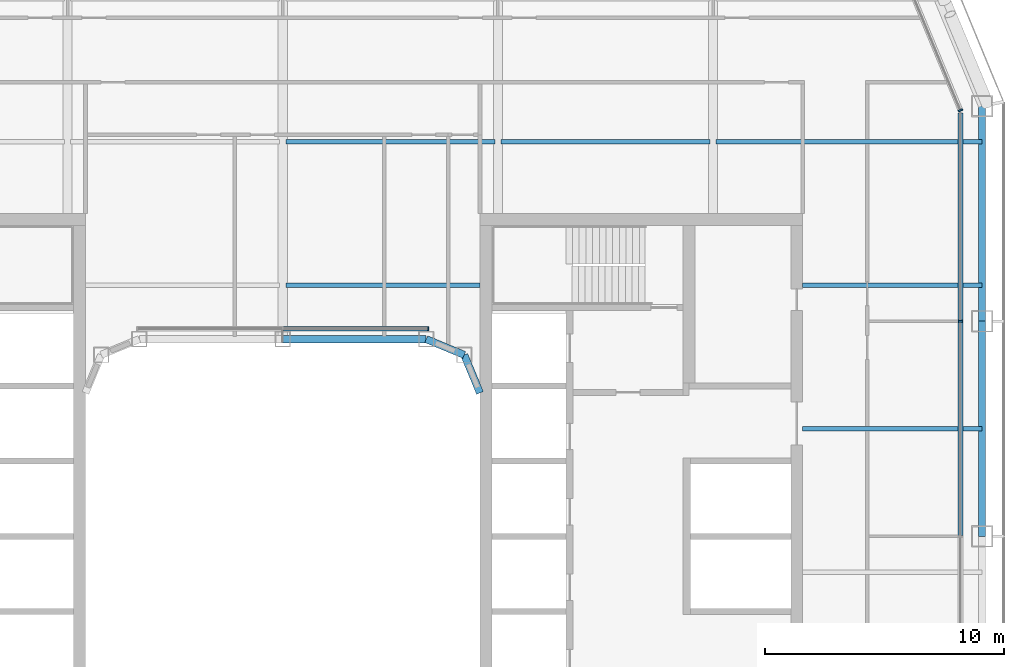
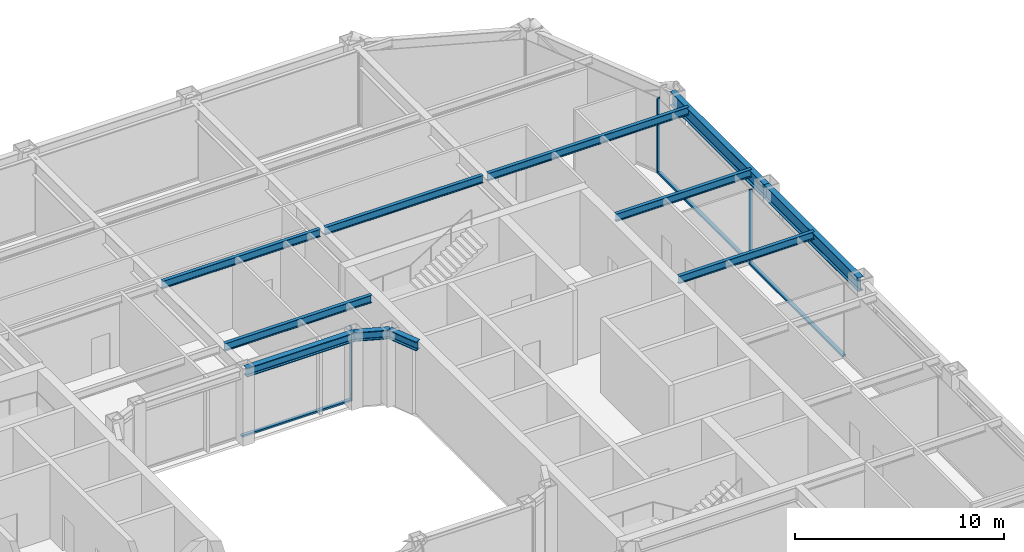
# One storey, part 8 of 23: 11 beams, 6 members, 3 elements without a shape of their own.
"""IFC4 building model written with IfcOpenShell, lengths in metres."""

from ifc_helpers import new_model, si_unit, direction, frame, origin, origin_2d, place, context, subcontext, project, spatial, rectangle, i_section, extrude, material, layer, layer_set, material_profile, profile_set, type_object, element, aggregate, save


model = new_model("IFC4")

# Units and contexts
model_context = context("Model", 3, precision=1e-05, world=origin(), true_north=direction((0.0, 1.0)))
body_context = subcontext(model_context, "Body", "Model", "MODEL_VIEW")
ifc_project = project(units=[si_unit("LENGTHUNIT", "METRE"), si_unit("AREAUNIT", "SQUARE_METRE"), si_unit("VOLUMEUNIT", "CUBIC_METRE"), si_unit("PLANEANGLEUNIT", "RADIAN"), si_unit("MASSUNIT", "GRAM", prefix="KILO")], contexts=[model_context])

# Site, building, storey
site_placement = place(None, origin())
site = spatial("IfcSite", under=ifc_project, at=site_placement, CompositionType="ELEMENT")
building_placement = place(site_placement, origin())
building = spatial("IfcBuilding", under=site, at=building_placement, Name="Siwar Civic Tower", CompositionType="ELEMENT")
storey_placement = place(building_placement, frame((0.0, 0.0, 172.199951171875)))
storey = spatial("IfcBuildingStorey", under=building, at=storey_placement, Name="L37", CompositionType="ELEMENT", Elevation=172.199951171875)

# Curtain wall, member
ifc_material_1 = material(Name="Aluminium and glass", Category="aluminium")
ifc_layer_1 = layer(ifc_material_1, 0.199951171875)
ifc_layer_set_1 = layer_set([ifc_layer_1], Name="Aluminium and glass")
curtain_wall_type_1 = type_object("IfcCurtainWallType", Name="ENV-CW-B", PredefinedType="NOTDEFINED", material=ifc_layer_set_1)
curtain_wall_1_placement = place(storey_placement, origin())
curtain_wall_1 = element("IfcCurtainWall", 1, at=curtain_wall_1_placement, inside=storey, type_object=curtain_wall_type_1, Name="Curtain wall B E", PredefinedType="NOTDEFINED")
ifc_material_2 = material(Name="Aluminium 6063-T6", Category="aluminium")
ifc_material_profile_1 = material_profile(ifc_material_2, rectangle(XDim=0.199951171875, YDim=0.06494140625, at=origin_2d()), Name="AL 200x65")
ifc_profile_set_1 = profile_set([ifc_material_profile_1], Name="Aluminium 6063-T6")
member_type_1 = type_object("IfcMemberType", Name="ENV-MULLION-B", PredefinedType="MULLION", material=ifc_profile_set_1)
member_1_placement = place(storey_placement, frame((28.35009765625, 9.0, 0.0), z_axis=(0.0, 0.0, 1.0), x_axis=(-1.0, 0.0, 0.0)))
member_1 = element("IfcMember", 2, at=member_1_placement, type_object=member_type_1, Name="Mullion B E 4", PredefinedType="MULLION", context=body_context, shape_type="SweptSolid", body=[
    extrude(rectangle(XDim=0.199951171875, YDim=0.06494140625, at=origin_2d()), origin(), (0.0, 0.0, 1.0), 4.35009765625),
])

ifc_material_3 = material(Name="Aluminium clad insulated panel", Category="aluminium")
ifc_layer_2 = layer(ifc_material_3, 0.199951171875)
ifc_layer_set_2 = layer_set([ifc_layer_2], Name="Aluminium clad insulated panel")
curtain_wall_type_2 = type_object("IfcCurtainWallType", Name="ENV-CW-BX", PredefinedType="NOTDEFINED", material=ifc_layer_set_2)
curtain_wall_2_placement = place(storey_placement, origin())
curtain_wall_2 = element("IfcCurtainWall", 3, at=curtain_wall_2_placement, inside=storey, type_object=curtain_wall_type_2, Name="Curtain wall B NE1", PredefinedType="NOTDEFINED")
member_2_placement = place(storey_placement, frame((28.35009765625, 17.821044921875, 0.0), z_axis=(0.0, 0.0, 1.0), x_axis=(-0.923879532511, -0.382683432365, 0.0)))
member_2 = element("IfcMember", 4, at=member_2_placement, type_object=member_type_1, Name="Mullion B NE1 1", PredefinedType="MULLION", context=body_context, shape_type="SweptSolid", body=[
    extrude(rectangle(XDim=0.199951171875, YDim=0.06494140625, at=origin_2d()), origin(), (0.0, 0.0, 1.0), 4.35009765625),
])
aggregate(curtain_wall_2, [member_2])

ifc_material_4 = material(Name="Aluminium and glass", Category="aluminium")
ifc_layer_3 = layer(ifc_material_4, 0.179931640625)
ifc_layer_set_3 = layer_set([ifc_layer_3], Name="Aluminium and glass")
curtain_wall_type_3 = type_object("IfcCurtainWallType", Name="ENV-CW-W", PredefinedType="NOTDEFINED", material=ifc_layer_set_3)
curtain_wall_3_placement = place(storey_placement, origin())
curtain_wall_3 = element("IfcCurtainWall", 5, at=curtain_wall_3_placement, inside=storey, type_object=curtain_wall_type_3, Name="Curtain wall W WN", PredefinedType="NOTDEFINED")
ifc_material_5 = material(Name="Aluminium 6063-T6", Category="aluminium")
ifc_material_profile_2 = material_profile(ifc_material_5, rectangle(XDim=0.179931640625, YDim=0.06005859375, at=origin_2d()), Name="AL 180x60")
ifc_profile_set_2 = profile_set([ifc_material_profile_2], Name="Aluminium 6063-T6")
member_type_2 = type_object("IfcMemberType", Name="ENV-MULLION-W", PredefinedType="MULLION", material=ifc_profile_set_2)
member_3_placement = place(storey_placement, frame((6.08642578125, 8.68505859375, 0.0), z_axis=(0.0, 0.0, 1.0), x_axis=(0.0, -1.0, 0.0)))
member_3 = element("IfcMember", 6, at=member_3_placement, type_object=member_type_2, Name="Mullion W WN 1", PredefinedType="MULLION", context=body_context, shape_type="SweptSolid", body=[
    extrude(rectangle(XDim=0.179931640625, YDim=0.06005859375, at=origin_2d()), origin(), (0.0, 0.0, 1.0), 4.35009765625),
])

# Member
ifc_material_6 = material(Name="Aluminium 6063-T6", Category="aluminium")
ifc_material_profile_3 = material_profile(ifc_material_6, rectangle(XDim=0.199951171875, YDim=0.110107421875, at=origin_2d()), Name="AL 200x110")
ifc_profile_set_3 = profile_set([ifc_material_profile_3], Name="Aluminium 6063-T6")
member_type_3 = type_object("IfcMemberType", Name="ENV-TRANSOM-B", PredefinedType="USERDEFINED", material=ifc_profile_set_3)
member_4_placement = place(storey_placement, frame((28.35009765625, 0.032470703125, 0.054931640625), z_axis=(0.0, 1.0, 0.0), x_axis=(-1.0, 0.0, 0.0)))
member_4 = element("IfcMember", 7, at=member_4_placement, type_object=member_type_3, Name="Transom B E 3", ObjectType="TRANSOM", PredefinedType="USERDEFINED", context=body_context, shape_type="SweptSolid", body=[
    extrude(rectangle(XDim=0.199951171875, YDim=0.110107421875, at=origin_2d()), origin(), (0.0, 0.0, 1.0), 8.93505859375),
])

member_5_placement = place(storey_placement, frame((28.35009765625, 9.032470703125, 0.054931640625), z_axis=(0.0, 1.0, 0.0), x_axis=(-1.0, 0.0, 0.0)))
member_5 = element("IfcMember", 8, at=member_5_placement, type_object=member_type_3, Name="Transom B E 4", ObjectType="TRANSOM", PredefinedType="USERDEFINED", context=body_context, shape_type="SweptSolid", body=[
    extrude(rectangle(XDim=0.199951171875, YDim=0.110107421875, at=origin_2d()), origin(), (0.0, 0.0, 1.0), 8.6748046875),
])

aggregate(curtain_wall_1, [member_1, member_4, member_5])

ifc_material_7 = material(Name="Aluminium 6063-T6", Category="aluminium")
ifc_material_profile_4 = material_profile(ifc_material_7, rectangle(XDim=0.179931640625, YDim=0.10009765625, at=origin_2d()), Name="AL 180x100")
ifc_profile_set_4 = profile_set([ifc_material_profile_4], Name="Aluminium 6063-T6")
member_type_4 = type_object("IfcMemberType", Name="ENV-TRANSOM-W", PredefinedType="USERDEFINED", material=ifc_profile_set_4)
member_6_placement = place(storey_placement, frame((6.056640625, 8.68505859375, 0.050048828125), z_axis=(-1.0, 0.0, 0.0), x_axis=(0.0, -1.0, 0.0)))
member_6 = element("IfcMember", 9, at=member_6_placement, type_object=member_type_4, Name="Transom W WN 1", ObjectType="TRANSOM", PredefinedType="USERDEFINED", context=body_context, shape_type="SweptSolid", body=[
    extrude(rectangle(XDim=0.179931640625, YDim=0.10009765625, at=origin_2d()), origin(), (0.0, 0.0, 1.0), 6.026611328125),
])

aggregate(curtain_wall_3, [member_3, member_6])

# Beams
ifc_material_8 = material(Name="Steel S355", Category="steel")
ifc_material_profile_5 = material_profile(ifc_material_8, i_section(OverallWidth=0.18994140625, OverallDepth=0.449951171875, WebThickness=0.009521484375, FlangeThickness=0.0146484375, FilletRadius=0.02099609375, at=origin_2d()), Name="IPE450")
ifc_profile_set_5 = profile_set([ifc_material_profile_5], Name="Steel S355")
beam_type_1 = type_object("IfcBeamType", Name="STR-FB-IPE450", PredefinedType="JOIST", material=ifc_profile_set_5)
beam_1_placement = place(storey_placement, frame((21.75, 4.5, 4.125), z_axis=(1.0, 0.0, 0.0), x_axis=(0.0, 1.0, 0.0)))
element("IfcBeam", 10, at=beam_1_placement, inside=storey, type_object=beam_type_1, Name="L37/bm/F026", PredefinedType="JOIST", context=body_context, shape_type="SweptSolid", body=[
    extrude(i_section(OverallWidth=0.18994140625, OverallDepth=0.449951171875, WebThickness=0.009521484375, FlangeThickness=0.0146484375, FilletRadius=0.02099609375, at=origin_2d()), origin(), (0.0, 0.0, 1.0), 7.5),
])
beam_2_placement = place(storey_placement, frame((0.1298828125, 10.5, 4.125), z_axis=(1.0, 0.0, 0.0), x_axis=(0.0, 1.0, 0.0)))
element("IfcBeam", 11, at=beam_2_placement, inside=storey, type_object=beam_type_1, Name="L37/bm/F029", PredefinedType="JOIST", context=body_context, shape_type="SweptSolid", body=[
    extrude(i_section(OverallWidth=0.18994140625, OverallDepth=0.449951171875, WebThickness=0.009521484375, FlangeThickness=0.0146484375, FilletRadius=0.02099609375, at=origin_2d()), origin(), (0.0, 0.0, 1.0), 8.1201171875),
])
beam_3_placement = place(storey_placement, frame((21.75, 10.5, 4.125), z_axis=(1.0, 0.0, 0.0), x_axis=(0.0, 1.0, 0.0)))
element("IfcBeam", 12, at=beam_3_placement, inside=storey, type_object=beam_type_1, Name="L37/bm/F030", PredefinedType="JOIST", context=body_context, shape_type="SweptSolid", body=[
    extrude(i_section(OverallWidth=0.18994140625, OverallDepth=0.449951171875, WebThickness=0.009521484375, FlangeThickness=0.0146484375, FilletRadius=0.02099609375, at=origin_2d()), origin(), (0.0, 0.0, 1.0), 7.5),
])
for number, where, z_axis, x_axis, name in (
    (13, (0.1298828125, 16.5, 4.125), (1.0, 0.0, 0.0), (0.0, 1.0, 0.0), "L37/bm/F034"),
    (14, (9.1298828125, 16.5, 4.125), (1.0, 0.0, 0.0), (0.0, 1.0, 0.0), "L37/bm/F035"),
):
    element("IfcBeam", number, at=place(storey_placement, frame(where, z_axis=z_axis, x_axis=x_axis)), inside=storey, type_object=beam_type_1, Name=name, PredefinedType="JOIST", context=body_context, shape_type="SweptSolid", body=[
        extrude(i_section(OverallWidth=0.18994140625, OverallDepth=0.449951171875, WebThickness=0.009521484375, FlangeThickness=0.0146484375, FilletRadius=0.02099609375, at=origin_2d()), origin(), (0.0, 0.0, 1.0), 8.740234375),
    ])
beam_4_placement = place(storey_placement, frame((18.1298828125, 16.5, 4.125), z_axis=(1.0, 0.0, 0.0), x_axis=(0.0, 1.0, 0.0)))
element("IfcBeam", 15, at=beam_4_placement, inside=storey, type_object=beam_type_1, Name="L37/bm/F036", PredefinedType="JOIST", context=body_context, shape_type="SweptSolid", body=[
    extrude(i_section(OverallWidth=0.18994140625, OverallDepth=0.449951171875, WebThickness=0.009521484375, FlangeThickness=0.0146484375, FilletRadius=0.02099609375, at=origin_2d()), origin(), (0.0, 0.0, 1.0), 11.1201171875),
])
ifc_material_9 = material(Name="Steel S355", Category="steel")
ifc_material_profile_6 = material_profile(ifc_material_9, i_section(OverallWidth=0.305908203125, OverallDepth=0.52392578125, WebThickness=0.02099609375, FlangeThickness=0.0400390625, FilletRadius=0.027099609375, at=origin_2d()), Name="HEM500")
ifc_profile_set_6 = profile_set([ifc_material_profile_6], Name="Steel S355")
beam_type_2 = type_object("IfcBeamType", Name="STR-RB-HEM500", PredefinedType="BEAM", material=ifc_profile_set_6)
beam_5_placement = place(storey_placement, frame((0.0, 8.25, 4.088134765625), z_axis=(1.0, 0.0, 0.0), x_axis=(0.0, 1.0, 0.0)))
element("IfcBeam", 16, at=beam_5_placement, inside=storey, type_object=beam_type_2, Name="L37/bm/RN2", PredefinedType="BEAM", context=body_context, shape_type="SweptSolid", body=[
    extrude(i_section(OverallWidth=0.305908203125, OverallDepth=0.52392578125, WebThickness=0.02099609375, FlangeThickness=0.0400390625, FilletRadius=0.027099609375, at=origin_2d()), origin(), (0.0, 0.0, 1.0), 6.0),
])
for number, where, z_axis, x_axis, name in (
    (17, (6.0, 8.25, 4.088134765625), (0.923901072997, -0.382631424892, 0.0), (0.382631424892, 0.923901072997, 0.0), "L37/bm/RN3"),
    (18, (7.591064453125, 7.591064453125, 4.088134765625), (0.382631424892, -0.923901072997, 0.0), (0.923901072997, 0.382631424892, 0.0), "L37/bm/RNEE"),
):
    element("IfcBeam", number, at=place(storey_placement, frame(where, z_axis=z_axis, x_axis=x_axis)), inside=storey, type_object=beam_type_2, Name=name, PredefinedType="BEAM", context=body_context, shape_type="SweptSolid", body=[
        extrude(i_section(OverallWidth=0.305908203125, OverallDepth=0.52392578125, WebThickness=0.02099609375, FlangeThickness=0.0400390625, FilletRadius=0.027099609375, at=origin_2d()), origin(), (0.0, 0.0, 1.0), 1.72216796875),
    ])
ifc_material_10 = material(Name="Steel S355", Category="steel")
ifc_material_profile_7 = material_profile(ifc_material_10, i_section(OverallWidth=0.300048828125, OverallDepth=0.800048828125, WebThickness=0.017578125, FlangeThickness=0.032958984375, FilletRadius=0.030029296875, at=origin_2d()), Name="HEB800")
ifc_profile_set_7 = profile_set([ifc_material_profile_7], Name="Steel S355")
beam_type_3 = type_object("IfcBeamType", Name="STR-SB-HEB800", PredefinedType="BEAM", material=ifc_profile_set_7)
for number, where, z_axis, x_axis, name in (
    (19, (29.25, 0.0, 3.949951171875), (0.0, 1.0, 0.0), (-1.0, 0.0, 0.0), "L37/bm/SE-2"),
    (20, (29.25, 9.0, 3.949951171875), (0.0, 1.0, 0.0), (-1.0, 0.0, 0.0), "L37/bm/SE-3"),
):
    element("IfcBeam", number, at=place(storey_placement, frame(where, z_axis=z_axis, x_axis=x_axis)), inside=storey, type_object=beam_type_3, Name=name, PredefinedType="BEAM", context=body_context, shape_type="SweptSolid", body=[
        extrude(i_section(OverallWidth=0.300048828125, OverallDepth=0.800048828125, WebThickness=0.017578125, FlangeThickness=0.032958984375, FilletRadius=0.030029296875, at=origin_2d()), origin(), (0.0, 0.0, 1.0), 9.0),
    ])

save(model, "model.ifc")
